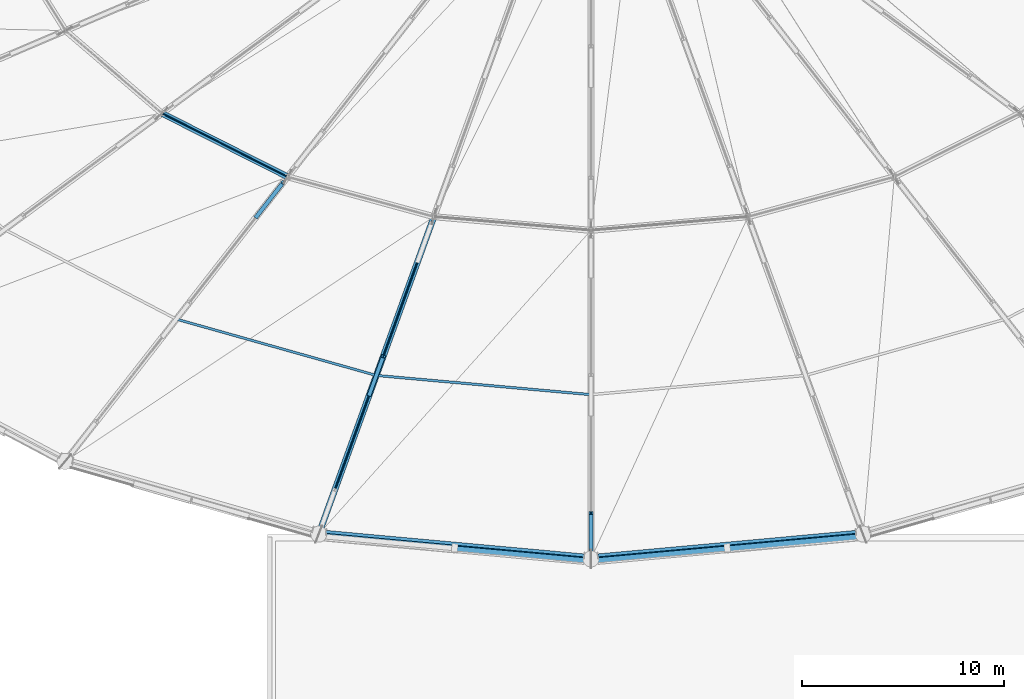
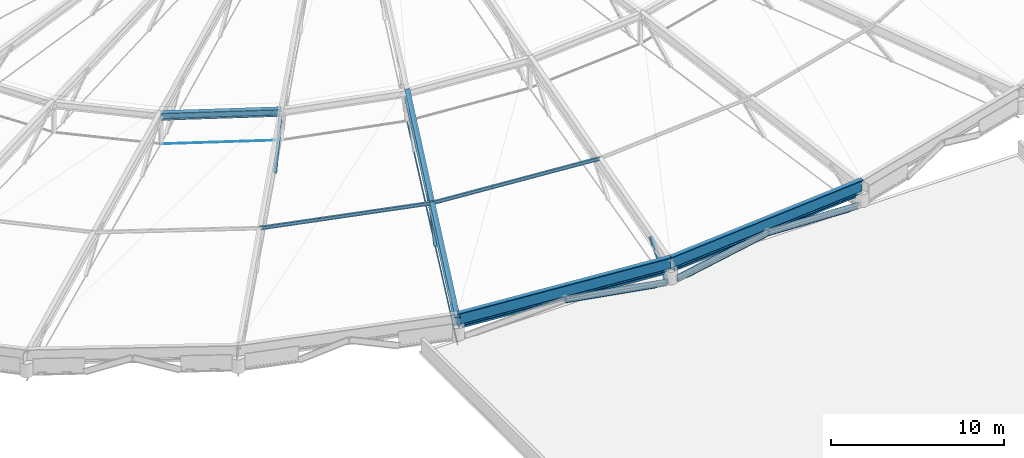
# One storey, part 3 of 83: 9 beams, 7 members.
"""IFC4 building model written with IfcOpenShell, lengths in metres."""

from ifc_helpers import new_model, si_unit, direction, frame, origin, origin_2d, place, context, subcontext, project, spatial, hollow_rectangle, circle, i_section, extrude, material, material_profile, profile_set, type_object, element, save


model = new_model("IFC4")

# Units and contexts
model_context = context("Model", 3, precision=1e-05, world=origin(), true_north=direction((0.0, 1.0)))
body_context = subcontext(model_context, "Body", "Model", "MODEL_VIEW")
ifc_project = project(units=[si_unit("LENGTHUNIT", "METRE"), si_unit("AREAUNIT", "SQUARE_METRE"), si_unit("VOLUMEUNIT", "CUBIC_METRE"), si_unit("PLANEANGLEUNIT", "RADIAN"), si_unit("MASSUNIT", "GRAM", prefix="KILO")], contexts=[model_context])

# Site, building, storey
site_placement = place(None, origin())
site = spatial("IfcSite", under=ifc_project, at=site_placement, CompositionType="ELEMENT")
building_placement = place(site_placement, origin())
building = spatial("IfcBuilding", under=site, at=building_placement, Name="Kivolera Central Railway Station", CompositionType="ELEMENT")
storey_placement = place(building_placement, frame((0.0, 0.0, 14.39990234375)))
storey = spatial("IfcBuildingStorey", under=building, at=storey_placement, Name="L03", CompositionType="ELEMENT", Elevation=14.39990234375)

# Beams
ifc_material_1 = material(Name="Steel S355", Category="steel")
ifc_material_profile_1 = material_profile(ifc_material_1, hollow_rectangle(XDim=0.14990234375, YDim=0.300048828125, WallThickness=0.012451171875, at=origin_2d()), Name="RHS 300x150x12.5")
ifc_profile_set_1 = profile_set([ifc_material_profile_1], Name="Steel S355")
beam_type_1 = type_object("IfcBeamType", Name="BM-ARCH-HOOD", PredefinedType="SPANDREL", material=ifc_profile_set_1)
for number, where, z_axis, x_axis, name in (
    (1, (50.907958984375, 55.339111328125, 0.735107421875), (0.995873178127, -0.090755788174, 0.0), (0.090755788174, 0.995873178127, 0.0), "Lantern Spandrel Hood Beam 18"),
    (2, (64.340087890625, 54.177001953125, 0.735107421875), (0.995873178127, 0.090755788174, 0.0), (-0.090755788174, 0.995873178127, 0.0), "Lantern Spandrel Hood Beam 19"),
):
    element("IfcBeam", number, at=place(storey_placement, frame(where, z_axis=z_axis, x_axis=x_axis)), inside=storey, type_object=beam_type_1, Name=name, PredefinedType="SPANDREL", context=body_context, shape_type="SweptSolid", body=[
        extrude(hollow_rectangle(XDim=0.14990234375, YDim=0.300048828125, WallThickness=0.012451171875, at=origin_2d()), origin(), (0.0, 0.0, 1.0), 12.8046875),
    ])
ifc_material_profile_2 = material_profile(ifc_material_1, i_section(OverallWidth=0.300048828125, OverallDepth=0.699951171875, WebThickness=0.01708984375, FlangeThickness=0.031982421875, FilletRadius=0.027099609375, at=origin_2d()), Name="HEB 700")
ifc_profile_set_2 = profile_set([ifc_material_profile_2], Name="Steel S355")
beam_type_2 = type_object("IfcBeamType", Name="BM-DRB-HEB700", PredefinedType="BEAM", material=ifc_profile_set_2)
beam_1_placement = place(storey_placement, frame((50.541015625, 55.22705078125, 1.18017578125), z_axis=(0.328777498815, 0.906291393744, 0.265596057761), x_axis=(-0.940053995171, 0.341025638571, 0.0)))
element("IfcBeam", 3, at=beam_1_placement, inside=storey, type_object=beam_type_2, Name="Oval Dome Radial Arch Rib Outer Segment DRB1-18", PredefinedType="BEAM", context=body_context, shape_type="SweptSolid", body=[
    extrude(i_section(OverallWidth=0.300048828125, OverallDepth=0.699951171875, WebThickness=0.01708984375, FlangeThickness=0.031982421875, FilletRadius=0.027099609375, at=origin_2d()), origin(), (0.0, 0.0, 1.0), 17.319091796875),
])
ifc_material_profile_3 = material_profile(ifc_material_1, i_section(OverallWidth=0.300048828125, OverallDepth=0.5, WebThickness=0.014404296875, FlangeThickness=0.028076171875, FilletRadius=0.027099609375, at=origin_2d()), Name="HEB 500")
ifc_profile_set_3 = profile_set([ifc_material_profile_3], Name="Steel S355")
beam_type_3 = type_object("IfcBeamType", Name="BM-HRG-HEB500", PredefinedType="BEAM", material=ifc_profile_set_3)
beam_2_placement = place(storey_placement, frame((42.787109375, 76.034912109375, 5.780029296875), z_axis=(0.892553489172, -0.450941536085, 0.0), x_axis=(0.450941536085, 0.892553489172, 0.0)))
element("IfcBeam", 4, at=beam_2_placement, inside=storey, type_object=beam_type_3, Name="Oval Dome Outer Hoop Ring Beam HRG1-16", PredefinedType="BEAM", context=body_context, shape_type="SweptSolid", body=[
    extrude(i_section(OverallWidth=0.300048828125, OverallDepth=0.5, WebThickness=0.014404296875, FlangeThickness=0.028076171875, FilletRadius=0.027099609375, at=origin_2d()), origin(), (0.0, 0.0, 1.0), 6.960693359375),
])
ifc_material_profile_4 = material_profile(ifc_material_1, i_section(OverallWidth=0.300048828125, OverallDepth=0.300048828125, WebThickness=0.010986328125, FlangeThickness=0.01904296875, FilletRadius=0.027099609375, at=origin_2d()), Name="HEB 300")
ifc_profile_set_4 = profile_set([ifc_material_profile_4], Name="Steel S355")
beam_type_4 = type_object("IfcBeamType", Name="BM-LANT-ARCH", PredefinedType="SPANDREL", material=ifc_profile_set_4)
for number, where, z_axis, x_axis, name in (
    (5, (57.260009765625, 54.493896484375, 0.820068359375), (0.989977918273, -0.09018063515, -0.108679226975), (0.090717969377, 0.995876623901, 0.0), "Oval Lantern Structural Arch Rib 18.2"),
    (6, (64.364013671875, 53.9130859375, 0.1201171875), (0.989977918273, 0.09018063515, 0.108679226975), (-0.090717969377, 0.995876623901, 0.0), "Oval Lantern Structural Arch Rib 19.1"),
    (7, (70.739990234375, 54.493896484375, 0.820068359375), (0.989974533366, 0.090218233627, -0.108678855382), (-0.090755788174, 0.995873178127, 0.0), "Oval Lantern Structural Arch Rib 19.2"),
):
    element("IfcBeam", number, at=place(storey_placement, frame(where, z_axis=z_axis, x_axis=x_axis)), inside=storey, type_object=beam_type_4, Name=name, PredefinedType="SPANDREL", context=body_context, shape_type="SweptSolid", body=[
        extrude(i_section(OverallWidth=0.300048828125, OverallDepth=0.300048828125, WebThickness=0.010986328125, FlangeThickness=0.01904296875, FilletRadius=0.027099609375, at=origin_2d()), origin(), (0.0, 0.0, 1.0), 6.4404296875),
    ])
ifc_material_profile_5 = material_profile(ifc_material_1, i_section(OverallWidth=0.300048828125, OverallDepth=0.89990234375, WebThickness=0.0185546875, FlangeThickness=0.034912109375, FilletRadius=0.030029296875, at=origin_2d()), Name="HEB 900")
ifc_profile_set_5 = profile_set([ifc_material_profile_5], Name="Steel S355")
beam_type_5 = type_object("IfcBeamType", Name="BM-ORB-HEB900", PredefinedType="BEAM", material=ifc_profile_set_5)
for number, where, z_axis, x_axis, name in (
    (8, (50.541015625, 55.22705078125, 1.35009765625), (0.995869777974, -0.0907930907, 0.0), (0.0907930907, 0.995869777974, 0.0), "Oval Dome Compression Ring Beam ORB-18"),
    (9, (64.0, 54.0, 1.35009765625), (0.995869777974, 0.0907930907, 0.0), (-0.0907930907, 0.995869777974, 0.0), "Oval Dome Compression Ring Beam ORB-19"),
):
    element("IfcBeam", number, at=place(storey_placement, frame(where, z_axis=z_axis, x_axis=x_axis)), inside=storey, type_object=beam_type_5, Name=name, PredefinedType="BEAM", context=body_context, shape_type="SweptSolid", body=[
        extrude(i_section(OverallWidth=0.300048828125, OverallDepth=0.89990234375, WebThickness=0.0185546875, FlangeThickness=0.034912109375, FilletRadius=0.030029296875, at=origin_2d()), origin(), (0.0, 0.0, 1.0), 13.514892578125),
    ])

# Members
ifc_material_2 = material(Name="Spiral strand steel S460", Category="steel")
ifc_material_profile_6 = material_profile(ifc_material_2, circle(Radius=0.02392578125, at=origin_2d()), Name="CABLE D48")
ifc_profile_set_6 = profile_set([ifc_material_profile_6], Name="Spiral strand steel S460")
member_type_1 = type_object("IfcMemberType", Name="MEM-CABLE-D48", PredefinedType="USERDEFINED", material=ifc_profile_set_6)
member_1_placement = place(storey_placement, frame((42.787109375, 76.034912109375, 3.780029296875), z_axis=(0.892553489172, -0.450941536085, 0.0), x_axis=(0.450941536085, 0.892553489172, 0.0)))
element("IfcMember", 10, at=member_1_placement, inside=storey, type_object=member_type_1, Name="Dome Hoop Tension Cable HC1-16", ObjectType="TENSION_CABLE", PredefinedType="USERDEFINED", context=body_context, shape_type="SweptSolid", body=[
    extrude(circle(Radius=0.02392578125, at=origin_2d()), origin(), (0.0, 0.0, 1.0), 6.960693359375),
])
ifc_material_profile_7 = material_profile(ifc_material_2, circle(Radius=0.031982421875, at=origin_2d()), Name="CABLE D64")
ifc_profile_set_7 = profile_set([ifc_material_profile_7], Name="Spiral strand steel S460")
member_type_2 = type_object("IfcMemberType", Name="MEM-CABLE-D64", PredefinedType="USERDEFINED", material=ifc_profile_set_7)
member_2_placement = place(storey_placement, frame((50.541015625, 55.22705078125, -0.449951171875), z_axis=(0.330582165215, 0.9112660457, 0.245580182417), x_axis=(-0.940053995171, 0.341025638571, 0.0)))
element("IfcMember", 11, at=member_2_placement, inside=storey, type_object=member_type_2, Name="Dome Radial Spiral-Strand Tension Cable RC1-18", ObjectType="TENSION_CABLE", PredefinedType="USERDEFINED", context=body_context, shape_type="SweptSolid", body=[
    extrude(circle(Radius=0.031982421875, at=origin_2d()), origin(), (0.0, 0.0, 1.0), 17.224365234375),
])
ifc_material_profile_8 = material_profile(ifc_material_1, i_section(OverallWidth=0.1201171875, OverallDepth=0.239990234375, WebThickness=0.006103515625, FlangeThickness=0.009765625, FilletRadius=0.014892578125, at=origin_2d()), Name="IPE 240")
ifc_profile_set_8 = profile_set([ifc_material_profile_8], Name="Steel S355")
member_type_3 = type_object("IfcMemberType", Name="MEM-PUR-IPE240", PredefinedType="PURLIN", material=ifc_profile_set_8)
member_3_placement = place(storey_placement, frame((43.5, 65.85888671875, 3.775146484375), z_axis=(0.962575989737, -0.271011925902, 0.0), x_axis=(0.271011925902, 0.962575989737, 0.0)))
element("IfcMember", 12, at=member_3_placement, inside=storey, type_object=member_type_3, Name="Dome Outer Hoop Purlin DPUR1-17", PredefinedType="PURLIN", context=body_context, shape_type="SweptSolid", body=[
    extrude(i_section(OverallWidth=0.1201171875, OverallDepth=0.239990234375, WebThickness=0.006103515625, FlangeThickness=0.009765625, FilletRadius=0.014892578125, at=origin_2d()), origin(), (0.0, 0.0, 1.0), 10.2724609375),
])
member_4_placement = place(storey_placement, frame((53.387939453125, 63.074951171875, 3.775146484375), z_axis=(0.996017345617, -0.089159672667, 0.0), x_axis=(0.089159672667, 0.996017345617, 0.0)))
element("IfcMember", 13, at=member_4_placement, inside=storey, type_object=member_type_3, Name="Dome Outer Hoop Purlin DPUR1-18", PredefinedType="PURLIN", context=body_context, shape_type="SweptSolid", body=[
    extrude(i_section(OverallWidth=0.1201171875, OverallDepth=0.239990234375, WebThickness=0.006103515625, FlangeThickness=0.009765625, FilletRadius=0.014892578125, at=origin_2d()), origin(), (0.0, 0.0, 1.0), 10.654541015625),
])
ifc_material_profile_9 = material_profile(ifc_material_1, i_section(OverallWidth=0.199951171875, OverallDepth=0.199951171875, WebThickness=0.009033203125, FlangeThickness=0.014892578125, FilletRadius=0.01806640625, at=origin_2d()), Name="HEB 200")
ifc_profile_set_9 = profile_set([ifc_material_profile_9], Name="Steel S355")
member_type_4 = type_object("IfcMemberType", Name="MEM-RAF-HEB200", PredefinedType="RAFTER", material=ifc_profile_set_9)
member_5_placement = place(storey_placement, frame((47.4599609375, 70.926025390625, 3.18798828125), z_axis=(0.400846397607, 0.512863950184, 0.759139469483), x_axis=(-0.787896583564, 0.615807578394, 0.0)))
element("IfcMember", 14, at=member_5_placement, inside=storey, type_object=member_type_4, Name="Dome Radial Truss Raking Web DWEB1-17.3", PredefinedType="RAFTER", context=body_context, shape_type="SweptSolid", body=[
    extrude(i_section(OverallWidth=0.199951171875, OverallDepth=0.199951171875, WebThickness=0.009033203125, FlangeThickness=0.014892578125, FilletRadius=0.01806640625, at=origin_2d()), origin(), (0.0, 0.0, 1.0), 3.293212890625),
])
member_6_placement = place(storey_placement, frame((53.0458984375, 62.133056640625, 1.4111328125), z_axis=(0.221753761886, 0.610732969476, 0.760151635586), x_axis=(-0.939956905793, 0.341293151488, 0.0)))
element("IfcMember", 15, at=member_6_placement, inside=storey, type_object=member_type_4, Name="Dome Radial Truss Raking Web DWEB1-18.2", PredefinedType="RAFTER", context=body_context, shape_type="SweptSolid", body=[
    extrude(i_section(OverallWidth=0.199951171875, OverallDepth=0.199951171875, WebThickness=0.009033203125, FlangeThickness=0.014892578125, FilletRadius=0.01806640625, at=origin_2d()), origin(), (0.0, 0.0, 1.0), 3.0849609375),
])
member_7_placement = place(storey_placement, frame((64.0, 54.324951171875, -0.364990234375), z_axis=(0.0, 0.66512331484, 0.74673353752), x_axis=(-1.0, 0.0, 0.0)))
element("IfcMember", 16, at=member_7_placement, inside=storey, type_object=member_type_4, Name="Dome Radial Truss Raking Web DWEB1-19.1", PredefinedType="RAFTER", context=body_context, shape_type="SweptSolid", body=[
    extrude(i_section(OverallWidth=0.199951171875, OverallDepth=0.199951171875, WebThickness=0.009033203125, FlangeThickness=0.014892578125, FilletRadius=0.01806640625, at=origin_2d()), origin(), (0.0, 0.0, 1.0), 2.931640625),
])

save(model, "model.ifc")
